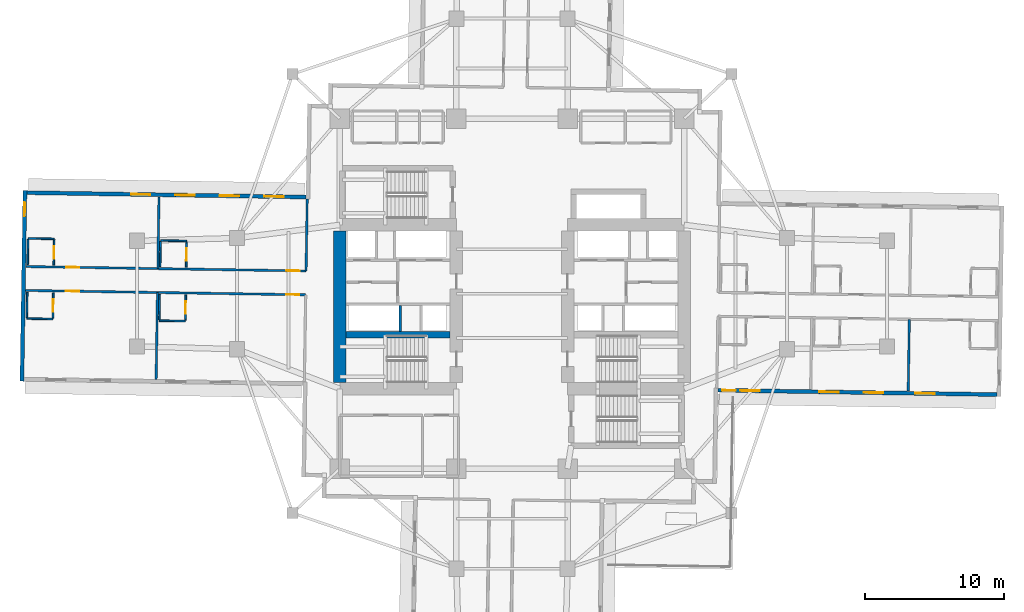
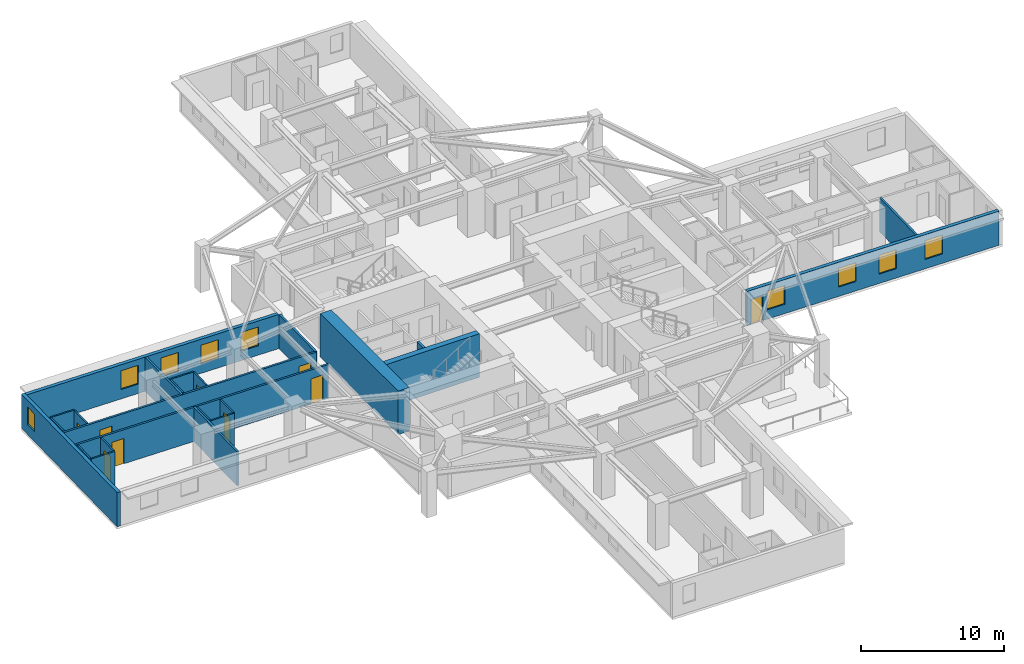
# One storey, part 4 of 13: 24 walls, 9 doors, 9 windows, 18 openings.
"""IFC4 building model written with IfcOpenShell, lengths in metres."""

from ifc_helpers import new_model, si_unit, direction, frame, frame_2d, origin, place, context, subcontext, project, spatial, rectangle, extrude, material, layer, layer_set, type_object, element, fill, save


model = new_model("IFC4")

# Units and contexts
model_context = context("Model", 3, precision=1e-05, world=origin(), true_north=direction((0.0, 1.0)))
body_context = subcontext(model_context, "Body", "Model", "MODEL_VIEW")
ifc_project = project(units=[si_unit("LENGTHUNIT", "METRE"), si_unit("AREAUNIT", "SQUARE_METRE"), si_unit("VOLUMEUNIT", "CUBIC_METRE"), si_unit("PLANEANGLEUNIT", "RADIAN"), si_unit("MASSUNIT", "GRAM", prefix="KILO")], contexts=[model_context])

# Site, building, storey
site_placement = place(None, origin())
site = spatial("IfcSite", under=ifc_project, at=site_placement, CompositionType="ELEMENT")
building_placement = place(site_placement, origin())
building = spatial("IfcBuilding", under=site, at=building_placement, Name="Qingluan Cross Belvedere", CompositionType="ELEMENT")
storey_placement = place(building_placement, frame((0.0, 0.0, 67.800048828125)))
storey = spatial("IfcBuildingStorey", under=building, at=storey_placement, Name="L17", CompositionType="ELEMENT", Elevation=67.800048828125)

# Walls
ifc_material_1 = material(Name="Concrete C50", Category="concrete")
ifc_layer_1 = layer(ifc_material_1, 0.449951171875, Name="CoreShearWall_450")
ifc_layer_set_1 = layer_set([ifc_layer_1], Name="Concrete C50")
wall_type_1 = type_object("IfcWallType", Name="CoreShearWall_450", PredefinedType="SHEAR", material=ifc_layer_set_1)
wall_1_placement = place(storey_placement, frame((-11.945068359375, -2.9599609375, 0.0), z_axis=(0.0, 0.0, 1.0), x_axis=(1.0, 0.0, 0.0)))
element("IfcWall", 1, at=wall_1_placement, inside=storey, type_object=wall_type_1, Name="Split core W shear wall L17-M", PredefinedType="SHEAR", context=body_context, shape_type="SweptSolid", body=[
    extrude(rectangle(XDim=7.489990234375, YDim=0.449951171875, at=frame_2d((3.7451171875, 0.0))), origin(), (0.0, 0.0, 1.0), 3.699951171875),
])
ifc_material_2 = material(Name="Concrete C70", Category="concrete")
ifc_layer_2 = layer(ifc_material_2, 0.89990234375, Name="CoreShearWall_900")
ifc_layer_set_2 = layer_set([ifc_layer_2], Name="Concrete C70")
wall_type_2 = type_object("IfcWallType", Name="CoreShearWall_900", PredefinedType="SHEAR", material=ifc_layer_set_2)
wall_2_placement = place(storey_placement, frame((-12.39990234375, -6.39501953125, 0.0), z_axis=(0.0, 0.0, 1.0), x_axis=(0.0, 1.0, 0.0)))
element("IfcWall", 2, at=wall_2_placement, inside=storey, type_object=wall_type_2, Name="Split core W shear wall L17-W", PredefinedType="SHEAR", context=body_context, shape_type="SweptSolid", body=[
    extrude(rectangle(XDim=10.89013671875, YDim=0.89990234375, at=frame_2d((5.445068359375, 0.0))), origin(), (0.0, 0.0, 1.0), 3.699951171875),
])
ifc_material_3 = material(Name="Gypsum plasterboard on steel stud acoustic partition", Category="steel")
ifc_layer_3 = layer(ifc_material_3, 0.159912109375, Name="CorridorPartition_160")
ifc_layer_set_3 = layer_set([ifc_layer_3], Name="Gypsum plasterboard on steel stud acoustic partition")
wall_type_3 = type_object("IfcWallType", Name="CorridorPartition_160", PredefinedType="PARTITIONING", material=ifc_layer_set_3)
wall_3_placement = place(storey_placement, frame((28.6083984375, -1.849609375, 0.0), z_axis=(0.0, 0.0, 1.0), x_axis=(-0.015718952777, -0.999876449629, 0.0)))
element("IfcWall", 3, at=wall_3_placement, inside=storey, type_object=wall_type_3, Name="Partition L17:E:d1_1", PredefinedType="PARTITIONING", context=body_context, shape_type="SweptSolid", body=[
    extrude(rectangle(XDim=5.172119140625, YDim=0.159912109375, at=frame_2d((2.5859375, 0.0))), origin(), (0.0, 0.0, 1.0), 2.89990234375),
])

# Wall, openings, doors
wall_4_placement = place(storey_placement, frame((-14.826171875, 1.633056640625, 0.0), z_axis=(0.0, 0.0, 1.0), x_axis=(-0.999876527681, 0.015713987169, 0.0)))
wall_4 = element("IfcWall", 4, at=wall_4_placement, inside=storey, type_object=wall_type_3, Name="Partition L17:W:c0", PredefinedType="PARTITIONING", context=body_context, shape_type="SweptSolid", body=[
    extrude(rectangle(XDim=20.181884765625, YDim=0.159912109375, at=frame_2d((10.0908203125, 0.0))), origin(), (0.0, 0.0, 1.0), 2.89990234375),
])
opening_1_placement = place(wall_4_placement, frame((0.449951171875, 0.0, 0.0)))
opening_1 = element("IfcOpeningElement", 5, at=opening_1_placement, cuts=wall_4, Name="Opening GD-10", PredefinedType="OPENING", context=body_context, shape_type="SweptSolid", body=[
    extrude(rectangle(XDim=0.9599609375, YDim=2.14990234375, at=frame_2d((0.47998046875, 1.074951171875))), frame((0.0, 0.08984375, 0.0), z_axis=(0.0, -1.0, 0.0), x_axis=(1.0, 0.0, 0.0)), (0.0, 0.0, 1.0), 0.179931640625),
])
opening_2_placement = place(wall_4_placement, frame((16.31591796875, 0.0, 0.0)))
opening_2 = element("IfcOpeningElement", 6, at=opening_2_placement, cuts=wall_4, Name="Opening GD-10", PredefinedType="OPENING", context=body_context, shape_type="SweptSolid", body=[
    extrude(rectangle(XDim=0.9599609375, YDim=2.14990234375, at=frame_2d((0.47998046875, 1.074951171875))), frame((0.0, 0.08984375, 0.0), z_axis=(0.0, -1.0, 0.0), x_axis=(1.0, 0.0, 0.0)), (0.0, 0.0, 1.0), 0.179931640625),
])
ifc_material_4 = material(Name="Timber oak fire-rated acoustic guestroom door", Category="wood")
door_type_1 = type_object("IfcDoorType", Name="GuestEntryDoor_FD60", OperationType="NOTDEFINED", PredefinedType="DOOR", material=ifc_material_4)
door_1_placement = place(opening_1_placement, origin())
door_1 = element("IfcDoor", 7, at=door_1_placement, inside=storey, type_object=door_type_1, Name="Guest entry fire door 1707", OperationType="SINGLE_SWING_LEFT", OverallHeight=2.14990234375, OverallWidth=0.9599609375, PredefinedType="DOOR", context=body_context, shape_type="SweptSolid", body=[
    extrude(rectangle(XDim=0.9599609375, YDim=2.14990234375, at=frame_2d((0.47998046875, 1.074951171875))), frame((0.0, 0.02490234375, 0.0), z_axis=(0.0, -1.0, 0.0), x_axis=(1.0, 0.0, 0.0)), (0.0, 0.0, 1.0), 0.050048828125),
])
fill(opening_1, door_1)
door_2_placement = place(opening_2_placement, origin())
door_2 = element("IfcDoor", 8, at=door_2_placement, inside=storey, type_object=door_type_1, Name="Guest entry fire door 1708", OperationType="SINGLE_SWING_LEFT", OverallHeight=2.14990234375, OverallWidth=0.9599609375, PredefinedType="DOOR", context=body_context, shape_type="SweptSolid", body=[
    extrude(rectangle(XDim=0.9599609375, YDim=2.14990234375, at=frame_2d((0.47998046875, 1.074951171875))), frame((0.0, 0.02490234375, 0.0), z_axis=(0.0, -1.0, 0.0), x_axis=(1.0, 0.0, 0.0)), (0.0, 0.0, 1.0), 0.050048828125),
])
fill(opening_2, door_2)

# Walls
for number, where, z_axis, x_axis, name in (
    (9, (-14.826171875, 1.633056640625, 0.0), (0.0, 0.0, 1.0), (0.015718952777, 0.999876449629, 0.0), "Partition L17:W:s0"),
    (10, (-25.497802734375, 1.80078125, 0.0), (0.0, 0.0, 1.0), (0.015718952777, 0.999876449629, 0.0), "Partition L17:W:d0_0"),
):
    element("IfcWall", number, at=place(storey_placement, frame(where, z_axis=z_axis, x_axis=x_axis)), inside=storey, type_object=wall_type_3, Name=name, PredefinedType="PARTITIONING", context=body_context, shape_type="SweptSolid", body=[
        extrude(rectangle(XDim=5.172119140625, YDim=0.159912109375, at=frame_2d((2.5859375, 0.0))), origin(), (0.0, 0.0, 1.0), 2.89990234375),
    ])

# Wall, openings, doors
wall_5_placement = place(storey_placement, frame((-14.853271484375, -0.086669921875, 0.0), z_axis=(0.0, 0.0, 1.0), x_axis=(-0.999876717676, 0.015701893165, 0.0)))
wall_5 = element("IfcWall", 11, at=wall_5_placement, inside=storey, type_object=wall_type_3, Name="Partition L17:W:c1", PredefinedType="PARTITIONING", context=body_context, shape_type="SweptSolid", body=[
    extrude(rectangle(XDim=20.181884765625, YDim=0.159912109375, at=frame_2d((10.0908203125, 0.0))), origin(), (0.0, 0.0, 1.0), 2.89990234375),
])
opening_3_placement = place(wall_5_placement, frame((0.449951171875, 0.0, 0.0)))
opening_3 = element("IfcOpeningElement", 12, at=opening_3_placement, cuts=wall_5, Name="Opening GD-10", PredefinedType="OPENING", context=body_context, shape_type="SweptSolid", body=[
    extrude(rectangle(XDim=0.9599609375, YDim=2.14990234375, at=frame_2d((0.47998046875, 1.074951171875))), frame((0.0, 0.08984375, 0.0), z_axis=(0.0, -1.0, 0.0), x_axis=(1.0, 0.0, 0.0)), (0.0, 0.0, 1.0), 0.179931640625),
])
opening_4_placement = place(wall_5_placement, frame((16.31591796875, 0.0, 0.0)))
opening_4 = element("IfcOpeningElement", 13, at=opening_4_placement, cuts=wall_5, Name="Opening GD-10", PredefinedType="OPENING", context=body_context, shape_type="SweptSolid", body=[
    extrude(rectangle(XDim=0.9599609375, YDim=2.14990234375, at=frame_2d((0.47998046875, 1.074951171875))), frame((0.0, 0.08984375, 0.0), z_axis=(0.0, -1.0, 0.0), x_axis=(1.0, 0.0, 0.0)), (0.0, 0.0, 1.0), 0.179931640625),
])
door_3_placement = place(opening_3_placement, origin())
door_3 = element("IfcDoor", 14, at=door_3_placement, inside=storey, type_object=door_type_1, Name="Guest entry fire door 1709", OperationType="SINGLE_SWING_LEFT", OverallHeight=2.14990234375, OverallWidth=0.9599609375, PredefinedType="DOOR", context=body_context, shape_type="SweptSolid", body=[
    extrude(rectangle(XDim=0.9599609375, YDim=2.14990234375, at=frame_2d((0.47998046875, 1.074951171875))), frame((0.0, 0.02490234375, 0.0), z_axis=(0.0, -1.0, 0.0), x_axis=(1.0, 0.0, 0.0)), (0.0, 0.0, 1.0), 0.050048828125),
])
fill(opening_3, door_3)
door_4_placement = place(opening_4_placement, origin())
door_4 = element("IfcDoor", 15, at=door_4_placement, inside=storey, type_object=door_type_1, Name="Guest entry fire door 1710", OperationType="SINGLE_SWING_LEFT", OverallHeight=2.14990234375, OverallWidth=0.9599609375, PredefinedType="DOOR", context=body_context, shape_type="SweptSolid", body=[
    extrude(rectangle(XDim=0.9599609375, YDim=2.14990234375, at=frame_2d((0.47998046875, 1.074951171875))), frame((0.0, 0.02490234375, 0.0), z_axis=(0.0, -1.0, 0.0), x_axis=(1.0, 0.0, 0.0)), (0.0, 0.0, 1.0), 0.050048828125),
])
fill(opening_4, door_4)

# Wall
wall_6_placement = place(storey_placement, frame((-25.52490234375, 0.080810546875, 0.0), z_axis=(0.0, 0.0, 1.0), x_axis=(-0.015698123972, -0.99987677686, 0.0)))
element("IfcWall", 16, at=wall_6_placement, inside=storey, type_object=wall_type_3, Name="Partition L17:W:d1_0", PredefinedType="PARTITIONING", context=body_context, shape_type="SweptSolid", body=[
    extrude(rectangle(XDim=6.251953125, YDim=0.159912109375, at=frame_2d((3.1259765625, 0.0))), origin(), (0.0, 0.0, 1.0), 2.89990234375),
])

# Wall, opening, door
ifc_material_5 = material(Name="Moisture-resistant gypsum board lining")
ifc_layer_4 = layer(ifc_material_5, 0.1201171875, Name="EnsuiteWetPartition_120")
ifc_layer_set_4 = layer_set([ifc_layer_4], Name="Moisture-resistant gypsum board lining")
wall_type_4 = type_object("IfcWallType", Name="EnsuiteWetPartition_120", PredefinedType="PARTITIONING", material=ifc_layer_set_4)
wall_7_placement = place(storey_placement, frame((-23.455810546875, 1.90869140625, 0.0), z_axis=(0.0, 0.0, 1.0), x_axis=(0.015694337248, 0.999876836305, 0.0)))
wall_7 = element("IfcWall", 17, at=wall_7_placement, inside=storey, type_object=wall_type_4, Name="Partition L17:W:bs0_0", PredefinedType="PARTITIONING", context=body_context, shape_type="SweptSolid", body=[
    extrude(rectangle(XDim=1.820068359375, YDim=0.1201171875, at=frame_2d((0.91015625, 0.0))), origin(), (0.0, 0.0, 1.0), 2.89990234375),
])
opening_5_placement = place(wall_7_placement, frame((0.469970703125, 0.0, 0.0)))
opening_5 = element("IfcOpeningElement", 18, at=opening_5_placement, cuts=wall_7, Name="Opening BD-09", PredefinedType="OPENING", context=body_context, shape_type="SweptSolid", body=[
    extrude(rectangle(XDim=0.8798828125, YDim=2.10009765625, at=frame_2d((0.43994140625, 1.050048828125))), frame((0.0, 0.070068359375, 0.0), z_axis=(0.0, -1.0, 0.0), x_axis=(1.0, 0.0, 0.0)), (0.0, 0.0, 1.0), 0.14013671875),
])
ifc_material_6 = material(Name="Moisture-sealed timber en-suite door", Category="wood")
door_type_2 = type_object("IfcDoorType", Name="BathroomDoor_880", OperationType="NOTDEFINED", PredefinedType="DOOR", material=ifc_material_6)
door_5_placement = place(opening_5_placement, origin())
door_5 = element("IfcDoor", 19, at=door_5_placement, inside=storey, type_object=door_type_2, Name="Bathroom door 1707", OperationType="SINGLE_SWING_RIGHT", OverallHeight=2.10009765625, OverallWidth=0.8798828125, PredefinedType="DOOR", context=body_context, shape_type="SweptSolid", body=[
    extrude(rectangle(XDim=0.8798828125, YDim=2.10009765625, at=frame_2d((0.43994140625, 1.050048828125))), frame((0.0, 0.02490234375, 0.0), z_axis=(0.0, -1.0, 0.0), x_axis=(1.0, 0.0, 0.0)), (0.0, 0.0, 1.0), 0.050048828125),
])
fill(opening_5, door_5)

# Walls
wall_8_placement = place(storey_placement, frame((-25.335693359375, 1.938232421875, 0.0), z_axis=(0.0, 0.0, 1.0), x_axis=(0.015694337248, 0.999876836305, 0.0)))
element("IfcWall", 20, at=wall_8_placement, inside=storey, type_object=wall_type_4, Name="Partition L17:W:bw0_0", PredefinedType="PARTITIONING", context=body_context, shape_type="SweptSolid", body=[
    extrude(rectangle(XDim=1.820068359375, YDim=0.1201171875, at=frame_2d((0.91015625, 0.0))), origin(), (0.0, 0.0, 1.0), 2.89990234375),
])
wall_9_placement = place(storey_placement, frame((-23.42626953125, 3.79345703125, 0.0), z_axis=(0.0, 0.0, 1.0), x_axis=(-0.999876553475, 0.01571234584, 0.0)))
element("IfcWall", 21, at=wall_9_placement, inside=storey, type_object=wall_type_4, Name="Partition L17:W:bn0_0", PredefinedType="PARTITIONING", context=body_context, shape_type="SweptSolid", body=[
    extrude(rectangle(XDim=1.880126953125, YDim=0.1201171875, at=frame_2d((0.93994140625, 0.0))), origin(), (0.0, 0.0, 1.0), 2.89990234375),
])

# Wall, opening, door
wall_10_placement = place(storey_placement, frame((-32.99169921875, 2.05859375, 0.0), z_axis=(0.0, 0.0, 1.0), x_axis=(0.015696442504, 0.999876803258, 0.0)))
wall_10 = element("IfcWall", 22, at=wall_10_placement, inside=storey, type_object=wall_type_4, Name="Partition L17:W:bs0_1", PredefinedType="PARTITIONING", context=body_context, shape_type="SweptSolid", body=[
    extrude(rectangle(XDim=1.81982421875, YDim=0.1201171875, at=frame_2d((0.909912109375, 0.0))), origin(), (0.0, 0.0, 1.0), 2.89990234375),
])
opening_6_placement = place(wall_10_placement, frame((0.469970703125, 0.0, 0.0)))
opening_6 = element("IfcOpeningElement", 23, at=opening_6_placement, cuts=wall_10, Name="Opening BD-09", PredefinedType="OPENING", context=body_context, shape_type="SweptSolid", body=[
    extrude(rectangle(XDim=0.8798828125, YDim=2.10009765625, at=frame_2d((0.43994140625, 1.050048828125))), frame((0.0, 0.070068359375, 0.0), z_axis=(0.0, -1.0, 0.0), x_axis=(1.0, 0.0, 0.0)), (0.0, 0.0, 1.0), 0.14013671875),
])
door_6_placement = place(opening_6_placement, origin())
door_6 = element("IfcDoor", 24, at=door_6_placement, inside=storey, type_object=door_type_2, Name="Bathroom door 1708", OperationType="SINGLE_SWING_RIGHT", OverallHeight=2.10009765625, OverallWidth=0.8798828125, PredefinedType="DOOR", context=body_context, shape_type="SweptSolid", body=[
    extrude(rectangle(XDim=0.8798828125, YDim=2.10009765625, at=frame_2d((0.43994140625, 1.050048828125))), frame((0.0, 0.02490234375, 0.0), z_axis=(0.0, -1.0, 0.0), x_axis=(1.0, 0.0, 0.0)), (0.0, 0.0, 1.0), 0.050048828125),
])
fill(opening_6, door_6)

# Walls
wall_11_placement = place(storey_placement, frame((-34.87158203125, 2.087890625, 0.0), z_axis=(0.0, 0.0, 1.0), x_axis=(0.015694337248, 0.999876836305, 0.0)))
element("IfcWall", 25, at=wall_11_placement, inside=storey, type_object=wall_type_4, Name="Partition L17:W:bw0_1", PredefinedType="PARTITIONING", context=body_context, shape_type="SweptSolid", body=[
    extrude(rectangle(XDim=1.820068359375, YDim=0.1201171875, at=frame_2d((0.91015625, 0.0))), origin(), (0.0, 0.0, 1.0), 2.89990234375),
])
wall_12_placement = place(storey_placement, frame((-32.962158203125, 3.943115234375, 0.0), z_axis=(0.0, 0.0, 1.0), x_axis=(-0.999874472394, 0.015844224657, 0.0)))
element("IfcWall", 26, at=wall_12_placement, inside=storey, type_object=wall_type_4, Name="Partition L17:W:bn0_1", PredefinedType="PARTITIONING", context=body_context, shape_type="SweptSolid", body=[
    extrude(rectangle(XDim=1.8798828125, YDim=0.1201171875, at=frame_2d((0.93994140625, 0.0))), origin(), (0.0, 0.0, 1.0), 2.89990234375),
])

# Wall, opening, door
wall_13_placement = place(storey_placement, frame((-23.515869140625, -1.910888671875, 0.0), z_axis=(0.0, 0.0, 1.0), x_axis=(0.015694337248, 0.999876836305, 0.0)))
wall_13 = element("IfcWall", 27, at=wall_13_placement, inside=storey, type_object=wall_type_4, Name="Partition L17:W:bs1_0", PredefinedType="PARTITIONING", context=body_context, shape_type="SweptSolid", body=[
    extrude(rectangle(XDim=1.820068359375, YDim=0.1201171875, at=frame_2d((0.91015625, 0.0))), origin(), (0.0, 0.0, 1.0), 2.89990234375),
])
opening_7_placement = place(wall_13_placement, frame((0.469970703125, 0.0, 0.0)))
opening_7 = element("IfcOpeningElement", 28, at=opening_7_placement, cuts=wall_13, Name="Opening BD-09", PredefinedType="OPENING", context=body_context, shape_type="SweptSolid", body=[
    extrude(rectangle(XDim=0.8798828125, YDim=2.10009765625, at=frame_2d((0.43994140625, 1.050048828125))), frame((0.0, 0.070068359375, 0.0), z_axis=(0.0, -1.0, 0.0), x_axis=(1.0, 0.0, 0.0)), (0.0, 0.0, 1.0), 0.14013671875),
])
door_7_placement = place(opening_7_placement, origin())
door_7 = element("IfcDoor", 29, at=door_7_placement, inside=storey, type_object=door_type_2, Name="Bathroom door 1709", OperationType="SINGLE_SWING_RIGHT", OverallHeight=2.10009765625, OverallWidth=0.8798828125, PredefinedType="DOOR", context=body_context, shape_type="SweptSolid", body=[
    extrude(rectangle(XDim=0.8798828125, YDim=2.10009765625, at=frame_2d((0.43994140625, 1.050048828125))), frame((0.0, 0.02490234375, 0.0), z_axis=(0.0, -1.0, 0.0), x_axis=(1.0, 0.0, 0.0)), (0.0, 0.0, 1.0), 0.050048828125),
])
fill(opening_7, door_7)

# Walls
wall_14_placement = place(storey_placement, frame((-25.395751953125, -1.88134765625, 0.0), z_axis=(0.0, 0.0, 1.0), x_axis=(0.015694337248, 0.999876836305, 0.0)))
element("IfcWall", 30, at=wall_14_placement, inside=storey, type_object=wall_type_4, Name="Partition L17:W:bw1_0", PredefinedType="PARTITIONING", context=body_context, shape_type="SweptSolid", body=[
    extrude(rectangle(XDim=1.820068359375, YDim=0.1201171875, at=frame_2d((0.91015625, 0.0))), origin(), (0.0, 0.0, 1.0), 2.89990234375),
])
wall_15_placement = place(storey_placement, frame((-23.516845703125, -1.975830078125, 0.0), z_axis=(0.0, 0.0, 1.0), x_axis=(-0.999876553475, 0.01571234584, 0.0)))
element("IfcWall", 31, at=wall_15_placement, inside=storey, type_object=wall_type_4, Name="Partition L17:W:bc1_0", PredefinedType="PARTITIONING", context=body_context, shape_type="SweptSolid", body=[
    extrude(rectangle(XDim=1.880126953125, YDim=0.1201171875, at=frame_2d((0.93994140625, 0.0))), origin(), (0.0, 0.0, 1.0), 2.89990234375),
])

# Wall, opening, door
wall_16_placement = place(storey_placement, frame((-33.0517578125, -1.760986328125, 0.0), z_axis=(0.0, 0.0, 1.0), x_axis=(0.015696442504, 0.999876803258, 0.0)))
wall_16 = element("IfcWall", 32, at=wall_16_placement, inside=storey, type_object=wall_type_4, Name="Partition L17:W:bs1_1", PredefinedType="PARTITIONING", context=body_context, shape_type="SweptSolid", body=[
    extrude(rectangle(XDim=1.81982421875, YDim=0.1201171875, at=frame_2d((0.909912109375, 0.0))), origin(), (0.0, 0.0, 1.0), 2.89990234375),
])
opening_8_placement = place(wall_16_placement, frame((0.469970703125, 0.0, 0.0)))
opening_8 = element("IfcOpeningElement", 33, at=opening_8_placement, cuts=wall_16, Name="Opening BD-09", PredefinedType="OPENING", context=body_context, shape_type="SweptSolid", body=[
    extrude(rectangle(XDim=0.8798828125, YDim=2.10009765625, at=frame_2d((0.43994140625, 1.050048828125))), frame((0.0, 0.070068359375, 0.0), z_axis=(0.0, -1.0, 0.0), x_axis=(1.0, 0.0, 0.0)), (0.0, 0.0, 1.0), 0.14013671875),
])
door_8_placement = place(opening_8_placement, origin())
door_8 = element("IfcDoor", 34, at=door_8_placement, inside=storey, type_object=door_type_2, Name="Bathroom door 1710", OperationType="SINGLE_SWING_RIGHT", OverallHeight=2.10009765625, OverallWidth=0.8798828125, PredefinedType="DOOR", context=body_context, shape_type="SweptSolid", body=[
    extrude(rectangle(XDim=0.8798828125, YDim=2.10009765625, at=frame_2d((0.43994140625, 1.050048828125))), frame((0.0, 0.02490234375, 0.0), z_axis=(0.0, -1.0, 0.0), x_axis=(1.0, 0.0, 0.0)), (0.0, 0.0, 1.0), 0.050048828125),
])
fill(opening_8, door_8)

# Walls
wall_17_placement = place(storey_placement, frame((-34.931396484375, -1.7314453125, 0.0), z_axis=(0.0, 0.0, 1.0), x_axis=(0.015696442504, 0.999876803258, 0.0)))
element("IfcWall", 35, at=wall_17_placement, inside=storey, type_object=wall_type_4, Name="Partition L17:W:bw1_1", PredefinedType="PARTITIONING", context=body_context, shape_type="SweptSolid", body=[
    extrude(rectangle(XDim=1.81982421875, YDim=0.1201171875, at=frame_2d((0.909912109375, 0.0))), origin(), (0.0, 0.0, 1.0), 2.89990234375),
])
wall_18_placement = place(storey_placement, frame((-33.052734375, -1.826171875, 0.0), z_axis=(0.0, 0.0, 1.0), x_axis=(-0.99987450499, 0.015842167482, 0.0)))
element("IfcWall", 36, at=wall_18_placement, inside=storey, type_object=wall_type_4, Name="Partition L17:W:bc1_1", PredefinedType="PARTITIONING", context=body_context, shape_type="SweptSolid", body=[
    extrude(rectangle(XDim=1.880126953125, YDim=0.1201171875, at=frame_2d((0.93994140625, 0.0))), origin(), (0.0, 0.0, 1.0), 2.89990234375),
])

# Wall, openings, windows, door
ifc_material_7 = material(Name="Precast concrete C45", Category="concrete")
ifc_layer_5 = layer(ifc_material_7, 0.280029296875, Name="PrecastFacadeWall_280")
ifc_layer_set_5 = layer_set([ifc_layer_5], Name="Precast concrete C45")
wall_type_5 = type_object("IfcWallType", Name="PrecastFacadeWall_280", PredefinedType="STANDARD", material=ifc_layer_set_5)
wall_19_placement = place(storey_placement, frame((14.83251953125, -6.953857421875, 0.0), z_axis=(0.0, 0.0, 1.0), x_axis=(0.999876667941, -0.015705059908, 0.0)))
wall_19 = element("IfcWall", 37, at=wall_19_placement, inside=storey, type_object=wall_type_5, Name="Facade wall L17-EA", PredefinedType="STANDARD", context=body_context, shape_type="SweptSolid", body=[
    extrude(rectangle(XDim=20.10009765625, YDim=0.280029296875, at=frame_2d((10.050048828125, 0.0))), origin(), (0.0, 0.0, 1.0), 2.909912109375),
])
opening_9_placement = place(wall_19_placement, frame((1.60009765625, 0.0, 0.800048828125)))
opening_9 = element("IfcOpeningElement", 38, at=opening_9_placement, cuts=wall_19, Name="Opening W-01", PredefinedType="OPENING", context=body_context, shape_type="SweptSolid", body=[
    extrude(rectangle(XDim=1.39990234375, YDim=1.60009765625, at=frame_2d((0.699951171875, 0.800048828125))), frame((0.0, 0.14990234375, 0.0), z_axis=(0.0, -1.0, 0.0), x_axis=(1.0, 0.0, 0.0)), (0.0, 0.0, 1.0), 0.300048828125),
])
opening_10_placement = place(wall_19_placement, frame((7.300048828125, 0.0, 0.800048828125)))
opening_10 = element("IfcOpeningElement", 39, at=opening_10_placement, cuts=wall_19, Name="Opening W-01", PredefinedType="OPENING", context=body_context, shape_type="SweptSolid", body=[
    extrude(rectangle(XDim=1.39990234375, YDim=1.60009765625, at=frame_2d((0.699951171875, 0.800048828125))), frame((0.0, 0.14990234375, 0.0), z_axis=(0.0, -1.0, 0.0), x_axis=(1.0, 0.0, 0.0)), (0.0, 0.0, 1.0), 0.300048828125),
])
opening_11_placement = place(wall_19_placement, frame((10.5, 0.0, 0.800048828125)))
opening_11 = element("IfcOpeningElement", 40, at=opening_11_placement, cuts=wall_19, Name="Opening W-01", PredefinedType="OPENING", context=body_context, shape_type="SweptSolid", body=[
    extrude(rectangle(XDim=1.39990234375, YDim=1.60009765625, at=frame_2d((0.699951171875, 0.800048828125))), frame((0.0, 0.14990234375, 0.0), z_axis=(0.0, -1.0, 0.0), x_axis=(1.0, 0.0, 0.0)), (0.0, 0.0, 1.0), 0.300048828125),
])
opening_12_placement = place(wall_19_placement, frame((14.199951171875, 0.0, 0.800048828125)))
opening_12 = element("IfcOpeningElement", 41, at=opening_12_placement, cuts=wall_19, Name="Opening W-01", PredefinedType="OPENING", context=body_context, shape_type="SweptSolid", body=[
    extrude(rectangle(XDim=1.39990234375, YDim=1.60009765625, at=frame_2d((0.699951171875, 0.800048828125))), frame((0.0, 0.14990234375, 0.0), z_axis=(0.0, -1.0, 0.0), x_axis=(1.0, 0.0, 0.0)), (0.0, 0.0, 1.0), 0.300048828125),
])
opening_13_placement = place(wall_19_placement, frame((0.300048828125, 0.0, 0.0)))
opening_13 = element("IfcOpeningElement", 42, at=opening_13_placement, cuts=wall_19, Name="Opening WD-10", PredefinedType="OPENING", context=body_context, shape_type="SweptSolid", body=[
    extrude(rectangle(XDim=0.9599609375, YDim=2.10009765625, at=frame_2d((0.47998046875, 1.050048828125))), frame((0.0, 0.14990234375, 0.0), z_axis=(0.0, -1.0, 0.0), x_axis=(1.0, 0.0, 0.0)), (0.0, 0.0, 1.0), 0.300048828125),
])
ifc_material_8 = material(Name="Thermally broken triple Low-E glass in aluminium frame", Category="aluminium")
window_type_1 = type_object("IfcWindowType", Name="TriRibbonWin_1400x1600", PartitioningType="SINGLE_PANEL", PredefinedType="WINDOW", material=ifc_material_8)
window_1_placement = place(opening_9_placement, origin())
window_1 = element("IfcWindow", 43, at=window_1_placement, inside=storey, type_object=window_type_1, Name="Ribbon window L17-EA-1", OverallHeight=1.60009765625, OverallWidth=1.39990234375, PartitioningType="SINGLE_PANEL", PredefinedType="WINDOW", context=body_context, shape_type="SweptSolid", body=[
    extrude(rectangle(XDim=1.39990234375, YDim=1.60009765625, at=frame_2d((0.699951171875, 0.800048828125))), frame((0.0, 0.030029296875, 0.0), z_axis=(0.0, -1.0, 0.0), x_axis=(1.0, 0.0, 0.0)), (0.0, 0.0, 1.0), 0.06005859375),
])
fill(opening_9, window_1)
window_2_placement = place(opening_10_placement, origin())
window_2 = element("IfcWindow", 44, at=window_2_placement, inside=storey, type_object=window_type_1, Name="Ribbon window L17-EA-2", OverallHeight=1.60009765625, OverallWidth=1.39990234375, PartitioningType="SINGLE_PANEL", PredefinedType="WINDOW", context=body_context, shape_type="SweptSolid", body=[
    extrude(rectangle(XDim=1.39990234375, YDim=1.60009765625, at=frame_2d((0.699951171875, 0.800048828125))), frame((0.0, 0.030029296875, 0.0), z_axis=(0.0, -1.0, 0.0), x_axis=(1.0, 0.0, 0.0)), (0.0, 0.0, 1.0), 0.06005859375),
])
fill(opening_10, window_2)
window_3_placement = place(opening_11_placement, origin())
window_3 = element("IfcWindow", 45, at=window_3_placement, inside=storey, type_object=window_type_1, Name="Ribbon window L17-EA-3", OverallHeight=1.60009765625, OverallWidth=1.39990234375, PartitioningType="SINGLE_PANEL", PredefinedType="WINDOW", context=body_context, shape_type="SweptSolid", body=[
    extrude(rectangle(XDim=1.39990234375, YDim=1.60009765625, at=frame_2d((0.699951171875, 0.800048828125))), frame((0.0, 0.030029296875, 0.0), z_axis=(0.0, -1.0, 0.0), x_axis=(1.0, 0.0, 0.0)), (0.0, 0.0, 1.0), 0.06005859375),
])
fill(opening_11, window_3)
window_4_placement = place(opening_12_placement, origin())
window_4 = element("IfcWindow", 46, at=window_4_placement, inside=storey, type_object=window_type_1, Name="Ribbon window L17-EA-4", OverallHeight=1.60009765625, OverallWidth=1.39990234375, PartitioningType="SINGLE_PANEL", PredefinedType="WINDOW", context=body_context, shape_type="SweptSolid", body=[
    extrude(rectangle(XDim=1.39990234375, YDim=1.60009765625, at=frame_2d((0.699951171875, 0.800048828125))), frame((0.0, 0.030029296875, 0.0), z_axis=(0.0, -1.0, 0.0), x_axis=(1.0, 0.0, 0.0)), (0.0, 0.0, 1.0), 0.06005859375),
])
fill(opening_12, window_4)
ifc_material_9 = material(Name="Thermally broken aluminium and Low-E glass", Category="aluminium")
door_type_3 = type_object("IfcDoorType", Name="WinterGardenDoor_096", OperationType="NOTDEFINED", PredefinedType="DOOR", material=ifc_material_9)
door_9_placement = place(opening_13_placement, origin())
door_9 = element("IfcDoor", 47, at=door_9_placement, inside=storey, type_object=door_type_3, Name="Outdoor terrace access door L17-spi", OperationType="SINGLE_SWING_LEFT", OverallHeight=2.10009765625, OverallWidth=0.9599609375, PredefinedType="DOOR", context=body_context, shape_type="SweptSolid", body=[
    extrude(rectangle(XDim=0.9599609375, YDim=2.10009765625, at=frame_2d((0.47998046875, 1.050048828125))), frame((0.0, 0.02490234375, 0.0), z_axis=(0.0, -1.0, 0.0), x_axis=(1.0, 0.0, 0.0)), (0.0, 0.0, 1.0), 0.050048828125),
])
fill(opening_13, door_9)

# Wall, openings, windows
wall_20_placement = place(storey_placement, frame((-14.83251953125, 6.953857421875, 0.0), z_axis=(0.0, 0.0, 1.0), x_axis=(-0.999876667941, 0.015705059908, 0.0)))
wall_20 = element("IfcWall", 48, at=wall_20_placement, inside=storey, type_object=wall_type_5, Name="Facade wall L17-WA", PredefinedType="STANDARD", context=body_context, shape_type="SweptSolid", body=[
    extrude(rectangle(XDim=20.10009765625, YDim=0.280029296875, at=frame_2d((10.050048828125, 0.0))), origin(), (0.0, 0.0, 1.0), 2.909912109375),
])
opening_14_placement = place(wall_20_placement, frame((1.60009765625, 0.0, 0.800048828125)))
opening_14 = element("IfcOpeningElement", 49, at=opening_14_placement, cuts=wall_20, Name="Opening W-01", PredefinedType="OPENING", context=body_context, shape_type="SweptSolid", body=[
    extrude(rectangle(XDim=1.39990234375, YDim=1.60009765625, at=frame_2d((0.699951171875, 0.800048828125))), frame((0.0, 0.14990234375, 0.0), z_axis=(0.0, -1.0, 0.0), x_axis=(1.0, 0.0, 0.0)), (0.0, 0.0, 1.0), 0.300048828125),
])
opening_15_placement = place(wall_20_placement, frame((4.800048828125, 0.0, 0.800048828125)))
opening_15 = element("IfcOpeningElement", 50, at=opening_15_placement, cuts=wall_20, Name="Opening W-01", PredefinedType="OPENING", context=body_context, shape_type="SweptSolid", body=[
    extrude(rectangle(XDim=1.39990234375, YDim=1.60009765625, at=frame_2d((0.699951171875, 0.800048828125))), frame((0.0, 0.14990234375, 0.0), z_axis=(0.0, -1.0, 0.0), x_axis=(1.0, 0.0, 0.0)), (0.0, 0.0, 1.0), 0.300048828125),
])
opening_16_placement = place(wall_20_placement, frame((8.0, 0.0, 0.800048828125)))
opening_16 = element("IfcOpeningElement", 51, at=opening_16_placement, cuts=wall_20, Name="Opening W-01", PredefinedType="OPENING", context=body_context, shape_type="SweptSolid", body=[
    extrude(rectangle(XDim=1.39990234375, YDim=1.60009765625, at=frame_2d((0.699951171875, 0.800048828125))), frame((0.0, 0.14990234375, 0.0), z_axis=(0.0, -1.0, 0.0), x_axis=(1.0, 0.0, 0.0)), (0.0, 0.0, 1.0), 0.300048828125),
])
opening_17_placement = place(wall_20_placement, frame((11.199951171875, 0.0, 0.800048828125)))
opening_17 = element("IfcOpeningElement", 52, at=opening_17_placement, cuts=wall_20, Name="Opening W-01", PredefinedType="OPENING", context=body_context, shape_type="SweptSolid", body=[
    extrude(rectangle(XDim=1.39990234375, YDim=1.60009765625, at=frame_2d((0.699951171875, 0.800048828125))), frame((0.0, 0.14990234375, 0.0), z_axis=(0.0, -1.0, 0.0), x_axis=(1.0, 0.0, 0.0)), (0.0, 0.0, 1.0), 0.300048828125),
])
window_5_placement = place(opening_14_placement, origin())
window_5 = element("IfcWindow", 53, at=window_5_placement, inside=storey, type_object=window_type_1, Name="Ribbon window L17-WA-1", OverallHeight=1.60009765625, OverallWidth=1.39990234375, PartitioningType="SINGLE_PANEL", PredefinedType="WINDOW", context=body_context, shape_type="SweptSolid", body=[
    extrude(rectangle(XDim=1.39990234375, YDim=1.60009765625, at=frame_2d((0.699951171875, 0.800048828125))), frame((0.0, 0.030029296875, 0.0), z_axis=(0.0, -1.0, 0.0), x_axis=(1.0, 0.0, 0.0)), (0.0, 0.0, 1.0), 0.06005859375),
])
fill(opening_14, window_5)
window_6_placement = place(opening_15_placement, origin())
window_6 = element("IfcWindow", 54, at=window_6_placement, inside=storey, type_object=window_type_1, Name="Ribbon window L17-WA-2", OverallHeight=1.60009765625, OverallWidth=1.39990234375, PartitioningType="SINGLE_PANEL", PredefinedType="WINDOW", context=body_context, shape_type="SweptSolid", body=[
    extrude(rectangle(XDim=1.39990234375, YDim=1.60009765625, at=frame_2d((0.699951171875, 0.800048828125))), frame((0.0, 0.030029296875, 0.0), z_axis=(0.0, -1.0, 0.0), x_axis=(1.0, 0.0, 0.0)), (0.0, 0.0, 1.0), 0.06005859375),
])
fill(opening_15, window_6)
window_7_placement = place(opening_16_placement, origin())
window_7 = element("IfcWindow", 55, at=window_7_placement, inside=storey, type_object=window_type_1, Name="Ribbon window L17-WA-3", OverallHeight=1.60009765625, OverallWidth=1.39990234375, PartitioningType="SINGLE_PANEL", PredefinedType="WINDOW", context=body_context, shape_type="SweptSolid", body=[
    extrude(rectangle(XDim=1.39990234375, YDim=1.60009765625, at=frame_2d((0.699951171875, 0.800048828125))), frame((0.0, 0.030029296875, 0.0), z_axis=(0.0, -1.0, 0.0), x_axis=(1.0, 0.0, 0.0)), (0.0, 0.0, 1.0), 0.06005859375),
])
fill(opening_16, window_7)
window_8_placement = place(opening_17_placement, origin())
window_8 = element("IfcWindow", 56, at=window_8_placement, inside=storey, type_object=window_type_1, Name="Ribbon window L17-WA-4", OverallHeight=1.60009765625, OverallWidth=1.39990234375, PartitioningType="SINGLE_PANEL", PredefinedType="WINDOW", context=body_context, shape_type="SweptSolid", body=[
    extrude(rectangle(XDim=1.39990234375, YDim=1.60009765625, at=frame_2d((0.699951171875, 0.800048828125))), frame((0.0, 0.030029296875, 0.0), z_axis=(0.0, -1.0, 0.0), x_axis=(1.0, 0.0, 0.0)), (0.0, 0.0, 1.0), 0.06005859375),
])
fill(opening_17, window_8)

# Wall, opening, window
wall_21_placement = place(storey_placement, frame((-35.06787109375, 7.41162109375, 0.0), z_axis=(0.0, 0.0, 1.0), x_axis=(-0.015712599986, -0.999876549481, 0.0)))
wall_21 = element("IfcWall", 57, at=wall_21_placement, inside=storey, type_object=wall_type_5, Name="Arm tip precast facade wall L17-W", PredefinedType="STANDARD", context=body_context, shape_type="SweptSolid", body=[
    extrude(rectangle(XDim=13.719970703125, YDim=0.280029296875, at=frame_2d((6.85986328125, 0.0))), origin(), (0.0, 0.0, 1.0), 2.909912109375),
])
opening_18_placement = place(wall_21_placement, frame((0.85009765625, 0.0, 0.85009765625)))
opening_18 = element("IfcOpeningElement", 58, at=opening_18_placement, cuts=wall_21, Name="Opening W-03", PredefinedType="OPENING", context=body_context, shape_type="SweptSolid", body=[
    extrude(rectangle(XDim=1.0, YDim=1.5, at=frame_2d((0.5, 0.75))), frame((0.0, 0.14990234375, 0.0), z_axis=(0.0, -1.0, 0.0), x_axis=(1.0, 0.0, 0.0)), (0.0, 0.0, 1.0), 0.300048828125),
])
ifc_material_10 = material(Name="Thermally broken triple Low-E glass in aluminium frame", Category="aluminium")
window_type_2 = type_object("IfcWindowType", Name="TriApexWin_1000x1500", PartitioningType="SINGLE_PANEL", PredefinedType="WINDOW", material=ifc_material_10)
window_9_placement = place(opening_18_placement, origin())
window_9 = element("IfcWindow", 59, at=window_9_placement, inside=storey, type_object=window_type_2, Name="Arm tip triangular window L17-W", OverallHeight=1.5, OverallWidth=1.0, PartitioningType="SINGLE_PANEL", PredefinedType="WINDOW", context=body_context, shape_type="SweptSolid", body=[
    extrude(rectangle(XDim=1.0, YDim=1.5, at=frame_2d((0.5, 0.75))), frame((0.0, 0.030029296875, 0.0), z_axis=(0.0, -1.0, 0.0), x_axis=(1.0, 0.0, 0.0)), (0.0, 0.0, 1.0), 0.06005859375),
])
fill(opening_18, window_9)

# Wall
ifc_material_11 = material(Name="Concrete C40", Category="concrete")
ifc_layer_6 = layer(ifc_material_11, 0.219970703125, Name="ShaftEnclosureWall_250")
ifc_layer_set_6 = layer_set([ifc_layer_6], Name="Concrete C40")
wall_type_6 = type_object("IfcWallType", Name="ShaftEnclosureWall_250", PredefinedType="SOLIDWALL", material=ifc_layer_set_6)
wall_22_placement = place(storey_placement, frame((-8.06005859375, -2.72998046875, 0.0), z_axis=(0.0, 0.0, 1.0), x_axis=(0.0, 1.0, 0.0)))
element("IfcWall", 60, at=wall_22_placement, inside=storey, type_object=wall_type_6, Name="Hoistway enclosure divider LP6E L17", PredefinedType="SOLIDWALL", context=body_context, shape_type="SweptSolid", body=[
    extrude(rectangle(XDim=1.889892578125, YDim=0.179931640625, at=frame_2d((0.94482421875, 0.0))), origin(), (0.0, 0.0, 1.0), 2.89990234375),
])

save(model, "model.ifc")
